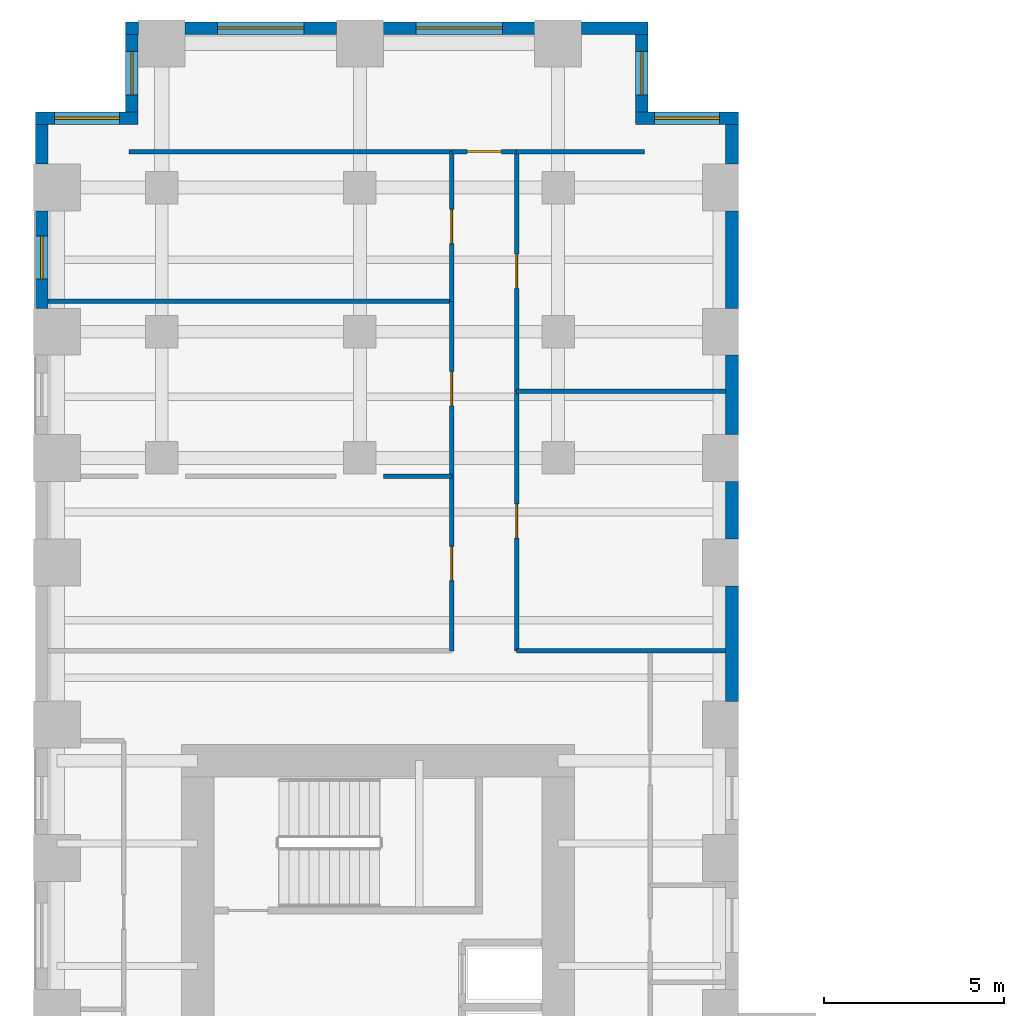
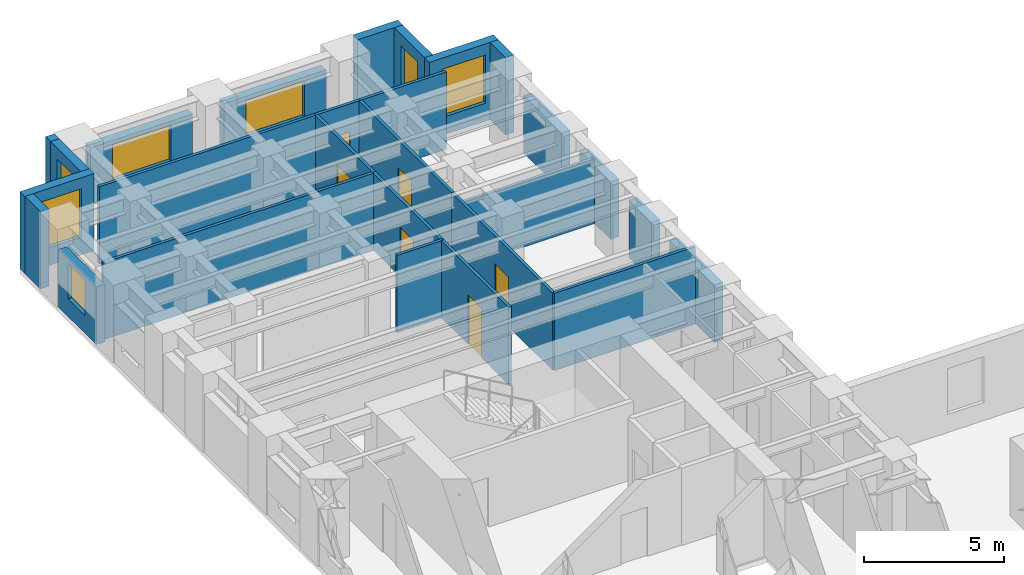
# One storey, part 9 of 13: 27 walls, 7 windows, 6 doors, 13 openings.
"""IFC4 building model written with IfcOpenShell, lengths in metres."""

from ifc_helpers import new_model, si_unit, direction, frame, frame_2d, origin, place, context, subcontext, project, spatial, rectangle, extrude, source, transform, mapped, material, layer, layer_set, type_object, element, fill, save


model = new_model("IFC4")

# Units and contexts
model_context = context("Model", 3, precision=1e-05, world=origin(), true_north=direction((0.0, 1.0)))
body_context = subcontext(model_context, "Body", "Model", "MODEL_VIEW")
ifc_project = project(units=[si_unit("LENGTHUNIT", "METRE"), si_unit("AREAUNIT", "SQUARE_METRE"), si_unit("VOLUMEUNIT", "CUBIC_METRE"), si_unit("PLANEANGLEUNIT", "RADIAN"), si_unit("MASSUNIT", "GRAM", prefix="KILO")], contexts=[model_context])

# Site, building, storey
site_placement = place(None, origin())
site = spatial("IfcSite", under=ifc_project, at=site_placement, CompositionType="ELEMENT")
building_placement = place(site_placement, origin())
building = spatial("IfcBuilding", under=site, at=building_placement, Name="Kharzan Plaza Tower", CompositionType="ELEMENT")
storey_placement = place(building_placement, frame((0.0, 0.0, 47.699951171875)))
storey = spatial("IfcBuildingStorey", under=building, at=storey_placement, Name="L12", CompositionType="ELEMENT", Elevation=47.699951171875)

# Wall, opening, window
ifc_material_1 = material(Name="Concrete C40/50", Category="concrete")
ifc_layer_1 = layer(ifc_material_1, 0.35009765625)
ifc_layer_set_1 = layer_set([ifc_layer_1], Name="Concrete C40/50")
wall_type_1 = type_object("IfcWallType", Name="WL-EXT-MAS-Z1", PredefinedType="SOLIDWALL", material=ifc_layer_set_1)
wall_1_placement = place(storey_placement, frame((19.5, 47.324951171875, 0.0), z_axis=(0.0, 0.0, 1.0), x_axis=(-1.0, 0.0, 0.0)))
wall_1 = element("IfcWall", 1, at=wall_1_placement, inside=storey, type_object=wall_type_1, Name="L12 Masonry-Frame Exterior Wall 01", PredefinedType="SOLIDWALL", context=body_context, shape_type="SweptSolid", body=[
    extrude(rectangle(XDim=2.85009765625, YDim=0.35009765625, at=frame_2d((1.425048828125, 0.0))), origin(), (0.0, 0.0, 1.0), 3.364990234375),
])
opening_1_placement = place(wall_1_placement, frame((0.52490234375, 0.0, 0.780029296875)))
opening_1 = element("IfcOpeningElement", 2, at=opening_1_placement, cuts=wall_1, Name="Opening W1", PredefinedType="OPENING", context=body_context, shape_type="SweptSolid", body=[
    extrude(rectangle(XDim=1.800048828125, YDim=2.10009765625, at=frame_2d((0.89990234375, 1.050048828125))), frame((0.0, 0.18505859375, 0.0), z_axis=(0.0, -1.0, 0.0), x_axis=(1.0, 0.0, 0.0)), (0.0, 0.0, 1.0), 0.3701171875),
])
ifc_material_2 = material(Name="Low-E Double Glazing", Category="glass")
window_type_1 = type_object("IfcWindowType", Name="WN-REC-1800x2100", PartitioningType="SINGLE_PANEL", PredefinedType="WINDOW", material=ifc_material_2)
shared_shape_1 = source(origin(), body_context, "Body", "SweptSolid", [
    extrude(rectangle(XDim=1.800048828125, YDim=2.10009765625, at=frame_2d((0.89990234375, 1.050048828125))), frame((0.0, 0.030029296875, 0.0), z_axis=(0.0, -1.0, 0.0), x_axis=(1.0, 0.0, 0.0)), (0.0, 0.0, 1.0), 0.06005859375),
])
window_1_placement = place(opening_1_placement, origin())
window_1 = element("IfcWindow", 3, at=window_1_placement, inside=storey, type_object=window_type_1, Name="L12 Recessed Solar-Control Window 01-1", OverallHeight=2.10009765625, OverallWidth=1.800048828125, PartitioningType="SINGLE_PANEL", PredefinedType="WINDOW", context=body_context, shape_type="MappedRepresentation", body=[
    mapped(shared_shape_1, transform((0.0, 0.0, 0.0), x_axis=(1.0, 0.0, 0.0), y_axis=(0.0, 1.0, 0.0), z_axis=(0.0, 0.0, 1.0))),
])
fill(opening_1, window_1)

wall_2_placement = place(storey_placement, frame((16.824951171875, 47.498046875, 0.0), z_axis=(0.0, 0.0, 1.0), x_axis=(0.0, 1.0, 0.0)))
wall_2 = element("IfcWall", 4, at=wall_2_placement, inside=storey, type_object=wall_type_1, Name="L12 Masonry-Frame Exterior Wall 02", PredefinedType="SOLIDWALL", context=body_context, shape_type="SweptSolid", body=[
    extrude(rectangle(XDim=2.154052734375, YDim=0.35009765625, at=frame_2d((1.0771484375, 0.0))), origin(), (0.0, 0.0, 1.0), 3.364990234375),
])
opening_2_placement = place(wall_2_placement, frame((0.47705078125, 0.0, 0.780029296875)))
opening_2 = element("IfcOpeningElement", 5, at=opening_2_placement, cuts=wall_2, Name="Opening W3", PredefinedType="OPENING", context=body_context, shape_type="SweptSolid", body=[
    extrude(rectangle(XDim=1.199951171875, YDim=2.10009765625, at=frame_2d((0.60009765625, 1.050048828125))), frame((0.0, 0.18505859375, 0.0), z_axis=(0.0, -1.0, 0.0), x_axis=(1.0, 0.0, 0.0)), (0.0, 0.0, 1.0), 0.3701171875),
])
window_type_2 = type_object("IfcWindowType", Name="WN-REC-1200x2100", PartitioningType="SINGLE_PANEL", PredefinedType="WINDOW", material=ifc_material_2)
shared_shape_2 = source(origin(), body_context, "Body", "SweptSolid", [
    extrude(rectangle(XDim=1.199951171875, YDim=2.10009765625, at=frame_2d((0.60009765625, 1.050048828125))), frame((0.0, 0.030029296875, 0.0), z_axis=(0.0, -1.0, 0.0), x_axis=(1.0, 0.0, 0.0)), (0.0, 0.0, 1.0), 0.06005859375),
])
window_2_placement = place(opening_2_placement, origin())
window_2 = element("IfcWindow", 6, at=window_2_placement, inside=storey, type_object=window_type_2, Name="L12 Recessed Solar-Control Window 02-1", OverallHeight=2.10009765625, OverallWidth=1.199951171875, PartitioningType="SINGLE_PANEL", PredefinedType="WINDOW", context=body_context, shape_type="MappedRepresentation", body=[
    mapped(shared_shape_2, transform((0.0, 0.0, 0.0), x_axis=(1.0, 0.0, 0.0), y_axis=(0.0, 1.0, 0.0), z_axis=(0.0, 0.0, 1.0))),
])
fill(opening_2, window_2)

wall_3_placement = place(storey_placement, frame((13.85205078125, 49.824951171875, 0.0), z_axis=(0.0, 0.0, 1.0), x_axis=(-1.0, 0.0, 0.0)))
wall_3 = element("IfcWall", 7, at=wall_3_placement, inside=storey, type_object=wall_type_1, Name="L12 Masonry-Frame Exterior Wall 04", PredefinedType="SOLIDWALL", context=body_context, shape_type="SweptSolid", body=[
    extrude(rectangle(XDim=4.2041015625, YDim=0.35009765625, at=frame_2d((2.10205078125, 0.0))), origin(), (0.0, 0.0, 1.0), 2.510009765625),
])
opening_3_placement = place(wall_3_placement, frame((0.902099609375, 0.0, 0.780029296875)))
opening_3 = element("IfcOpeningElement", 8, at=opening_3_placement, cuts=wall_3, Name="Opening W2", PredefinedType="OPENING", context=body_context, shape_type="SweptSolid", body=[
    extrude(rectangle(XDim=2.39990234375, YDim=1.550048828125, at=frame_2d((1.199951171875, 0.77490234375))), frame((0.0, 0.18505859375, 0.0), z_axis=(0.0, -1.0, 0.0), x_axis=(1.0, 0.0, 0.0)), (0.0, 0.0, 1.0), 0.3701171875),
])
window_type_3 = type_object("IfcWindowType", Name="WN-REC-2400x2100", PartitioningType="SINGLE_PANEL", PredefinedType="WINDOW", material=ifc_material_2)
shared_shape_3 = source(origin(), body_context, "Body", "SweptSolid", [
    extrude(rectangle(XDim=2.39990234375, YDim=1.550048828125, at=frame_2d((1.199951171875, 0.77490234375))), frame((0.0, 0.030029296875, 0.0), z_axis=(0.0, -1.0, 0.0), x_axis=(1.0, 0.0, 0.0)), (0.0, 0.0, 1.0), 0.06005859375),
])
window_3_placement = place(opening_3_placement, origin())
window_3 = element("IfcWindow", 9, at=window_3_placement, inside=storey, type_object=window_type_3, Name="L12 Wide Recessed Solar-Control Window 04-1", OverallHeight=1.550048828125, OverallWidth=2.39990234375, PartitioningType="SINGLE_PANEL", PredefinedType="WINDOW", context=body_context, shape_type="MappedRepresentation", body=[
    mapped(shared_shape_3, transform((0.0, 0.0, 0.0), x_axis=(1.0, 0.0, 0.0), y_axis=(0.0, 1.0, 0.0), z_axis=(0.0, 0.0, 1.0))),
])
fill(opening_3, window_3)

wall_4_placement = place(storey_placement, frame((8.35205078125, 49.824951171875, 0.0), z_axis=(0.0, 0.0, 1.0), x_axis=(-1.0, 0.0, 0.0)))
wall_4 = element("IfcWall", 10, at=wall_4_placement, inside=storey, type_object=wall_type_1, Name="L12 Masonry-Frame Exterior Wall 05", PredefinedType="SOLIDWALL", context=body_context, shape_type="SweptSolid", body=[
    extrude(rectangle(XDim=4.2041015625, YDim=0.35009765625, at=frame_2d((2.10205078125, 0.0))), origin(), (0.0, 0.0, 1.0), 2.510009765625),
])
opening_4_placement = place(wall_4_placement, frame((0.902099609375, 0.0, 0.780029296875)))
opening_4 = element("IfcOpeningElement", 11, at=opening_4_placement, cuts=wall_4, Name="Opening W2", PredefinedType="OPENING", context=body_context, shape_type="SweptSolid", body=[
    extrude(rectangle(XDim=2.39990234375, YDim=1.550048828125, at=frame_2d((1.199951171875, 0.77490234375))), frame((0.0, 0.18505859375, 0.0), z_axis=(0.0, -1.0, 0.0), x_axis=(1.0, 0.0, 0.0)), (0.0, 0.0, 1.0), 0.3701171875),
])
window_4_placement = place(opening_4_placement, origin())
window_4 = element("IfcWindow", 12, at=window_4_placement, inside=storey, type_object=window_type_3, Name="L12 Wide Recessed Solar-Control Window 05-1", OverallHeight=1.550048828125, OverallWidth=2.39990234375, PartitioningType="SINGLE_PANEL", PredefinedType="WINDOW", context=body_context, shape_type="MappedRepresentation", body=[
    mapped(shared_shape_3, transform((0.0, 0.0, 0.0), x_axis=(1.0, 0.0, 0.0), y_axis=(0.0, 1.0, 0.0), z_axis=(0.0, 0.0, 1.0))),
])
fill(opening_4, window_4)

wall_5_placement = place(storey_placement, frame((2.675048828125, 49.652099609375, 0.0), z_axis=(0.0, 0.0, 1.0), x_axis=(0.0, -1.0, 0.0)))
wall_5 = element("IfcWall", 13, at=wall_5_placement, inside=storey, type_object=wall_type_1, Name="L12 Masonry-Frame Exterior Wall 07", PredefinedType="SOLIDWALL", context=body_context, shape_type="SweptSolid", body=[
    extrude(rectangle(XDim=2.154052734375, YDim=0.35009765625, at=frame_2d((1.0771484375, 0.0))), origin(), (0.0, 0.0, 1.0), 3.364990234375),
])
opening_5_placement = place(wall_5_placement, frame((0.47705078125, 0.0, 0.780029296875)))
opening_5 = element("IfcOpeningElement", 14, at=opening_5_placement, cuts=wall_5, Name="Opening W3", PredefinedType="OPENING", context=body_context, shape_type="SweptSolid", body=[
    extrude(rectangle(XDim=1.199951171875, YDim=2.10009765625, at=frame_2d((0.60009765625, 1.050048828125))), frame((0.0, 0.18505859375, 0.0), z_axis=(0.0, -1.0, 0.0), x_axis=(1.0, 0.0, 0.0)), (0.0, 0.0, 1.0), 0.3701171875),
])
window_5_placement = place(opening_5_placement, origin())
window_5 = element("IfcWindow", 15, at=window_5_placement, inside=storey, type_object=window_type_2, Name="L12 Recessed Solar-Control Window 07-1", OverallHeight=2.10009765625, OverallWidth=1.199951171875, PartitioningType="SINGLE_PANEL", PredefinedType="WINDOW", context=body_context, shape_type="MappedRepresentation", body=[
    mapped(shared_shape_2, transform((0.0, 0.0, 0.0), x_axis=(1.0, 0.0, 0.0), y_axis=(0.0, 1.0, 0.0), z_axis=(0.0, 0.0, 1.0))),
])
fill(opening_5, window_5)

wall_6_placement = place(storey_placement, frame((2.85009765625, 47.324951171875, 0.0), z_axis=(0.0, 0.0, 1.0), x_axis=(-1.0, 0.0, 0.0)))
wall_6 = element("IfcWall", 16, at=wall_6_placement, inside=storey, type_object=wall_type_1, Name="L12 Masonry-Frame Exterior Wall 08", PredefinedType="SOLIDWALL", context=body_context, shape_type="SweptSolid", body=[
    extrude(rectangle(XDim=2.85009765625, YDim=0.35009765625, at=frame_2d((1.425048828125, 0.0))), origin(), (0.0, 0.0, 1.0), 3.364990234375),
])
opening_6_placement = place(wall_6_placement, frame((0.52490234375, 0.0, 0.780029296875)))
opening_6 = element("IfcOpeningElement", 17, at=opening_6_placement, cuts=wall_6, Name="Opening W1", PredefinedType="OPENING", context=body_context, shape_type="SweptSolid", body=[
    extrude(rectangle(XDim=1.800048828125, YDim=2.10009765625, at=frame_2d((0.89990234375, 1.050048828125))), frame((0.0, 0.18505859375, 0.0), z_axis=(0.0, -1.0, 0.0), x_axis=(1.0, 0.0, 0.0)), (0.0, 0.0, 1.0), 0.3701171875),
])
window_6_placement = place(opening_6_placement, origin())
window_6 = element("IfcWindow", 18, at=window_6_placement, inside=storey, type_object=window_type_1, Name="L12 Recessed Solar-Control Window 08-1", OverallHeight=2.10009765625, OverallWidth=1.800048828125, PartitioningType="SINGLE_PANEL", PredefinedType="WINDOW", context=body_context, shape_type="MappedRepresentation", body=[
    mapped(shared_shape_1, transform((0.0, 0.0, 0.0), x_axis=(1.0, 0.0, 0.0), y_axis=(0.0, 1.0, 0.0), z_axis=(0.0, 0.0, 1.0))),
])
fill(opening_6, window_6)

wall_7_placement = place(storey_placement, frame((0.175048828125, 44.751953125, 0.0), z_axis=(0.0, 0.0, 1.0), x_axis=(0.0, -1.0, 0.0)))
wall_7 = element("IfcWall", 19, at=wall_7_placement, inside=storey, type_object=wall_type_1, Name="L12 Masonry-Frame Exterior Wall 10", PredefinedType="SOLIDWALL", context=body_context, shape_type="SweptSolid", body=[
    extrude(rectangle(XDim=2.703857421875, YDim=0.35009765625, at=frame_2d((1.35205078125, 0.0))), origin(), (0.0, 0.0, 1.0), 2.510009765625),
])
opening_7_placement = place(wall_7_placement, frame((0.6884765625, 0.0, 0.780029296875)))
opening_7 = element("IfcOpeningElement", 20, at=opening_7_placement, cuts=wall_7, Name="Opening W3", PredefinedType="OPENING", context=body_context, shape_type="SweptSolid", body=[
    extrude(rectangle(XDim=1.199951171875, YDim=1.550048828125, at=frame_2d((0.60009765625, 0.77490234375))), frame((0.0, 0.18505859375, 0.0), z_axis=(0.0, -1.0, 0.0), x_axis=(1.0, 0.0, 0.0)), (0.0, 0.0, 1.0), 0.3701171875),
])
shared_shape_4 = source(origin(), body_context, "Body", "SweptSolid", [
    extrude(rectangle(XDim=1.199951171875, YDim=1.550048828125, at=frame_2d((0.60009765625, 0.77490234375))), frame((0.0, 0.030029296875, 0.0), z_axis=(0.0, -1.0, 0.0), x_axis=(1.0, 0.0, 0.0)), (0.0, 0.0, 1.0), 0.06005859375),
])
window_7_placement = place(opening_7_placement, origin())
window_7 = element("IfcWindow", 21, at=window_7_placement, inside=storey, type_object=window_type_2, Name="L12 Recessed Solar-Control Window 10-1", OverallHeight=1.550048828125, OverallWidth=1.199951171875, PartitioningType="SINGLE_PANEL", PredefinedType="WINDOW", context=body_context, shape_type="MappedRepresentation", body=[
    mapped(shared_shape_4, transform((0.0, 0.0, 0.0), x_axis=(1.0, 0.0, 0.0), y_axis=(0.0, 1.0, 0.0), z_axis=(0.0, 0.0, 1.0))),
])
fill(opening_7, window_7)

# Wall, opening, door
ifc_material_3 = material(Name="Fire-Rated Gypsum Board Partition", Category="gypsum")
ifc_layer_2 = layer(ifc_material_3, 0.125)
ifc_layer_set_2 = layer_set([ifc_layer_2], Name="Fire-Rated Gypsum Board Partition")
wall_type_2 = type_object("IfcWallType", Name="WL-INT-PART-125", PredefinedType="PARTITIONING", material=ifc_layer_set_2)
wall_8_placement = place(storey_placement, frame((13.35009765625, 32.550048828125, 0.0), z_axis=(0.0, 0.0, 1.0), x_axis=(0.0, 1.0, 0.0)))
wall_8 = element("IfcWall", 22, at=wall_8_placement, inside=storey, type_object=wall_type_2, Name="L12 Interior Partition SH-SPE-1", PredefinedType="PARTITIONING", context=body_context, shape_type="SweptSolid", body=[
    extrude(rectangle(XDim=7.201904296875, YDim=0.125, at=frame_2d((3.60107421875, 0.0))), origin(), (0.0, 0.0, 1.0), 3.364990234375),
])
opening_8_placement = place(wall_8_placement, frame((3.1259765625, 0.0, 0.0)))
opening_8 = element("IfcOpeningElement", 23, at=opening_8_placement, cuts=wall_8, Name="Opening OD1", PredefinedType="OPENING", context=body_context, shape_type="SweptSolid", body=[
    extrude(rectangle(XDim=0.949951171875, YDim=2.14990234375, at=frame_2d((0.47509765625, 1.074951171875))), frame((0.0, 0.072509765625, 0.0), z_axis=(0.0, -1.0, 0.0), x_axis=(1.0, 0.0, 0.0)), (0.0, 0.0, 1.0), 0.14501953125),
])
ifc_material_4 = material(Name="Acoustic Solid-Core Stained Oak", Category="timber")
door_type = type_object("IfcDoorType", Name="DR-OFF-SINGLE", OperationType="NOTDEFINED", PredefinedType="DOOR", material=ifc_material_4)
shared_shape_5 = source(origin(), body_context, "Body", "SweptSolid", [
    extrude(rectangle(XDim=0.949951171875, YDim=2.14990234375, at=frame_2d((0.47509765625, 1.074951171875))), frame((0.0, 0.02490234375, 0.0), z_axis=(0.0, -1.0, 0.0), x_axis=(1.0, 0.0, 0.0)), (0.0, 0.0, 1.0), 0.050048828125),
])
door_1_placement = place(opening_8_placement, origin())
door_1 = element("IfcDoor", 24, at=door_1_placement, inside=storey, type_object=door_type, Name="L12 Architectural Design Studio Door", OperationType="SINGLE_SWING_LEFT", OverallHeight=2.14990234375, OverallWidth=0.949951171875, PredefinedType="DOOR", context=body_context, shape_type="MappedRepresentation", body=[
    mapped(shared_shape_5, transform((0.0, 0.0, 0.0), x_axis=(1.0, 0.0, 0.0), y_axis=(0.0, 1.0, 0.0), z_axis=(0.0, 0.0, 1.0))),
])
fill(opening_8, door_1)

wall_9_placement = place(storey_placement, frame((13.35009765625, 39.751953125, 0.0), z_axis=(0.0, 0.0, 1.0), x_axis=(0.0, 1.0, 0.0)))
wall_9 = element("IfcWall", 25, at=wall_9_placement, inside=storey, type_object=wall_type_2, Name="L12 Interior Partition SH-SPE-2", PredefinedType="PARTITIONING", context=body_context, shape_type="SweptSolid", body=[
    extrude(rectangle(XDim=6.64794921875, YDim=0.125, at=frame_2d((3.323974609375, 0.0))), origin(), (0.0, 0.0, 1.0), 3.364990234375),
])
opening_9_placement = place(wall_9_placement, frame((2.84912109375, 0.0, 0.0)))
opening_9 = element("IfcOpeningElement", 26, at=opening_9_placement, cuts=wall_9, Name="Opening OD1", PredefinedType="OPENING", context=body_context, shape_type="SweptSolid", body=[
    extrude(rectangle(XDim=0.949951171875, YDim=2.14990234375, at=frame_2d((0.47509765625, 1.074951171875))), frame((0.0, 0.072509765625, 0.0), z_axis=(0.0, -1.0, 0.0), x_axis=(1.0, 0.0, 0.0)), (0.0, 0.0, 1.0), 0.14501953125),
])
door_2_placement = place(opening_9_placement, origin())
door_2 = element("IfcDoor", 27, at=door_2_placement, inside=storey, type_object=door_type, Name="L12 Architectural Design Studio Door", OperationType="SINGLE_SWING_RIGHT", OverallHeight=2.14990234375, OverallWidth=0.949951171875, PredefinedType="DOOR", context=body_context, shape_type="MappedRepresentation", body=[
    mapped(shared_shape_5, transform((0.0, 0.0, 0.0), x_axis=(1.0, 0.0, 0.0), y_axis=(0.0, 1.0, 0.0), z_axis=(0.0, 0.0, 1.0))),
])
fill(opening_9, door_2)

wall_10_placement = place(storey_placement, frame((11.550048828125, 46.39990234375, 0.0), z_axis=(0.0, 0.0, 1.0), x_axis=(1.0, 0.0, 0.0)))
wall_10 = element("IfcWall", 28, at=wall_10_placement, inside=storey, type_object=wall_type_2, Name="L12 Interior Partition SH-SPHD", PredefinedType="PARTITIONING", context=body_context, shape_type="SweptSolid", body=[
    extrude(rectangle(XDim=1.800048828125, YDim=0.125, at=frame_2d((0.89990234375, 0.0))), origin(), (0.0, 0.0, 1.0), 3.364990234375),
])
opening_10_placement = place(wall_10_placement, frame((0.425048828125, 0.0, 0.0)))
opening_10 = element("IfcOpeningElement", 29, at=opening_10_placement, cuts=wall_10, Name="Opening OD1", PredefinedType="OPENING", context=body_context, shape_type="SweptSolid", body=[
    extrude(rectangle(XDim=0.949951171875, YDim=2.14990234375, at=frame_2d((0.47509765625, 1.074951171875))), frame((0.0, 0.072509765625, 0.0), z_axis=(0.0, -1.0, 0.0), x_axis=(1.0, 0.0, 0.0)), (0.0, 0.0, 1.0), 0.14501953125),
])
door_3_placement = place(opening_10_placement, origin())
door_3 = element("IfcDoor", 30, at=door_3_placement, inside=storey, type_object=door_type, Name="L12 North Boardroom Door", OperationType="SINGLE_SWING_LEFT", OverallHeight=2.14990234375, OverallWidth=0.949951171875, PredefinedType="DOOR", context=body_context, shape_type="MappedRepresentation", body=[
    mapped(shared_shape_5, transform((0.0, 0.0, 0.0), x_axis=(1.0, 0.0, 0.0), y_axis=(0.0, 1.0, 0.0), z_axis=(0.0, 0.0, 1.0))),
])
fill(opening_10, door_3)

wall_11_placement = place(storey_placement, frame((11.550048828125, 32.550048828125, 0.0), z_axis=(0.0, 0.0, 1.0), x_axis=(0.0, 1.0, 0.0)))
wall_11 = element("IfcWall", 31, at=wall_11_placement, inside=storey, type_object=wall_type_2, Name="L12 Interior Partition SH-SPW-1", PredefinedType="PARTITIONING", context=body_context, shape_type="SweptSolid", body=[
    extrude(rectangle(XDim=4.846923828125, YDim=0.125, at=frame_2d((2.42333984375, 0.0))), origin(), (0.0, 0.0, 1.0), 3.364990234375),
])
opening_11_placement = place(wall_11_placement, frame((1.948486328125, 0.0, 0.0)))
opening_11 = element("IfcOpeningElement", 32, at=opening_11_placement, cuts=wall_11, Name="Opening OD1", PredefinedType="OPENING", context=body_context, shape_type="SweptSolid", body=[
    extrude(rectangle(XDim=0.949951171875, YDim=2.14990234375, at=frame_2d((0.47509765625, 1.074951171875))), frame((0.0, 0.072509765625, 0.0), z_axis=(0.0, -1.0, 0.0), x_axis=(1.0, 0.0, 0.0)), (0.0, 0.0, 1.0), 0.14501953125),
])
door_4_placement = place(opening_11_placement, origin())
door_4 = element("IfcDoor", 33, at=door_4_placement, inside=storey, type_object=door_type, Name="L12 Staff Tea Pantry Door", OperationType="SINGLE_SWING_RIGHT", OverallHeight=2.14990234375, OverallWidth=0.949951171875, PredefinedType="DOOR", context=body_context, shape_type="MappedRepresentation", body=[
    mapped(shared_shape_5, transform((0.0, 0.0, 0.0), x_axis=(1.0, 0.0, 0.0), y_axis=(0.0, 1.0, 0.0), z_axis=(0.0, 0.0, 1.0))),
])
fill(opening_11, door_4)

wall_12_placement = place(storey_placement, frame((11.550048828125, 37.39697265625, 0.0), z_axis=(0.0, 0.0, 1.0), x_axis=(0.0, 1.0, 0.0)))
wall_12 = element("IfcWall", 34, at=wall_12_placement, inside=storey, type_object=wall_type_2, Name="L12 Interior Partition SH-SPW-2", PredefinedType="PARTITIONING", context=body_context, shape_type="SweptSolid", body=[
    extrude(rectangle(XDim=4.84814453125, YDim=0.125, at=frame_2d((2.424072265625, 0.0))), origin(), (0.0, 0.0, 1.0), 3.364990234375),
])
opening_12_placement = place(wall_12_placement, frame((1.948974609375, 0.0, 0.0)))
opening_12 = element("IfcOpeningElement", 35, at=opening_12_placement, cuts=wall_12, Name="Opening OD1", PredefinedType="OPENING", context=body_context, shape_type="SweptSolid", body=[
    extrude(rectangle(XDim=0.949951171875, YDim=2.14990234375, at=frame_2d((0.47509765625, 1.074951171875))), frame((0.0, 0.072509765625, 0.0), z_axis=(0.0, -1.0, 0.0), x_axis=(1.0, 0.0, 0.0)), (0.0, 0.0, 1.0), 0.14501953125),
])
door_5_placement = place(opening_12_placement, origin())
door_5 = element("IfcDoor", 36, at=door_5_placement, inside=storey, type_object=door_type, Name="L12 Staff Tea Pantry Door", OperationType="SINGLE_SWING_LEFT", OverallHeight=2.14990234375, OverallWidth=0.949951171875, PredefinedType="DOOR", context=body_context, shape_type="MappedRepresentation", body=[
    mapped(shared_shape_5, transform((0.0, 0.0, 0.0), x_axis=(1.0, 0.0, 0.0), y_axis=(0.0, 1.0, 0.0), z_axis=(0.0, 0.0, 1.0))),
])
fill(opening_12, door_5)

wall_13_placement = place(storey_placement, frame((11.550048828125, 42.2451171875, 0.0), z_axis=(0.0, 0.0, 1.0), x_axis=(0.0, 1.0, 0.0)))
wall_13 = element("IfcWall", 37, at=wall_13_placement, inside=storey, type_object=wall_type_2, Name="L12 Interior Partition SH-SPW-3", PredefinedType="PARTITIONING", context=body_context, shape_type="SweptSolid", body=[
    extrude(rectangle(XDim=4.15478515625, YDim=0.125, at=frame_2d((2.077392578125, 0.0))), origin(), (0.0, 0.0, 1.0), 3.364990234375),
])
opening_13_placement = place(wall_13_placement, frame((1.6025390625, 0.0, 0.0)))
opening_13 = element("IfcOpeningElement", 38, at=opening_13_placement, cuts=wall_13, Name="Opening OD1", PredefinedType="OPENING", context=body_context, shape_type="SweptSolid", body=[
    extrude(rectangle(XDim=0.949951171875, YDim=2.14990234375, at=frame_2d((0.47509765625, 1.074951171875))), frame((0.0, 0.072509765625, 0.0), z_axis=(0.0, -1.0, 0.0), x_axis=(1.0, 0.0, 0.0)), (0.0, 0.0, 1.0), 0.14501953125),
])
door_6_placement = place(opening_13_placement, origin())
door_6 = element("IfcDoor", 39, at=door_6_placement, inside=storey, type_object=door_type, Name="L12 Standards Compliance Office Door", OperationType="SINGLE_SWING_RIGHT", OverallHeight=2.14990234375, OverallWidth=0.949951171875, PredefinedType="DOOR", context=body_context, shape_type="MappedRepresentation", body=[
    mapped(shared_shape_5, transform((0.0, 0.0, 0.0), x_axis=(1.0, 0.0, 0.0), y_axis=(0.0, 1.0, 0.0), z_axis=(0.0, 0.0, 1.0))),
])
fill(opening_13, door_6)

# Walls
shared_shape_6 = source(origin(), body_context, "Body", "SweptSolid", [
    extrude(rectangle(XDim=1.85205078125, YDim=0.35009765625, at=frame_2d((0.926025390625, 0.0))), origin(), (0.0, 0.0, 1.0), 3.364990234375),
])
wall_14_placement = place(storey_placement, frame((17.0, 49.824951171875, 0.0), z_axis=(0.0, 0.0, 1.0), x_axis=(-1.0, 0.0, 0.0)))
element("IfcWall", 40, at=wall_14_placement, inside=storey, type_object=wall_type_1, Name="L12 Masonry-Frame Exterior Wall 03", PredefinedType="SOLIDWALL", context=body_context, shape_type="MappedRepresentation", body=[
    mapped(shared_shape_6, transform((0.0, 0.0, 0.0), x_axis=(1.0, 0.0, 0.0), y_axis=(0.0, 1.0, 0.0), z_axis=(0.0, 0.0, 1.0))),
])
shared_shape_7 = source(origin(), body_context, "Body", "SweptSolid", [
    extrude(rectangle(XDim=0.35205078125, YDim=0.35009765625, at=frame_2d((0.176025390625, 0.0))), origin(), (0.0, 0.0, 1.0), 3.364990234375),
])
wall_15_placement = place(storey_placement, frame((2.85205078125, 49.824951171875, 0.0), z_axis=(0.0, 0.0, 1.0), x_axis=(-1.0, 0.0, 0.0)))
element("IfcWall", 41, at=wall_15_placement, inside=storey, type_object=wall_type_1, Name="L12 Masonry-Frame Exterior Wall 06", PredefinedType="SOLIDWALL", context=body_context, shape_type="MappedRepresentation", body=[
    mapped(shared_shape_7, transform((0.0, 0.0, 0.0), x_axis=(1.0, 0.0, 0.0), y_axis=(0.0, 1.0, 0.0), z_axis=(0.0, 0.0, 1.0))),
])
shared_shape_8 = source(origin(), body_context, "Body", "SweptSolid", [
    extrude(rectangle(XDim=1.10400390625, YDim=0.35009765625, at=frame_2d((0.552001953125, 0.0))), origin(), (0.0, 0.0, 1.0), 3.364990234375),
])
for number, where, z_axis, x_axis, name in (
    (42, (0.175048828125, 47.152099609375, 0.0), (0.0, 0.0, 1.0), (0.0, -1.0, 0.0), "L12 Masonry-Frame Exterior Wall 09"),
    (43, (19.324951171875, 46.048095703125, 0.0), (0.0, 0.0, 1.0), (0.0, 1.0, 0.0), "L12 Masonry-Frame Exterior Wall 60"),
):
    element("IfcWall", number, at=place(storey_placement, frame(where, z_axis=z_axis, x_axis=x_axis)), inside=storey, type_object=wall_type_1, Name=name, PredefinedType="SOLIDWALL", context=body_context, shape_type="MappedRepresentation", body=[
        mapped(shared_shape_8, transform((0.0, 0.0, 0.0), x_axis=(1.0, 0.0, 0.0), y_axis=(0.0, 1.0, 0.0), z_axis=(0.0, 0.0, 1.0))),
    ])
shared_shape_9 = source(origin(), body_context, "Body", "SweptSolid", [
    extrude(rectangle(XDim=1.60400390625, YDim=0.35009765625, at=frame_2d((0.802001953125, 0.0))), origin(), (0.0, 0.0, 1.0), 2.510009765625),
])
wall_16_placement = place(storey_placement, frame((19.324951171875, 35.64794921875, 0.0), z_axis=(0.0, 0.0, 1.0), x_axis=(0.0, 1.0, 0.0)))
element("IfcWall", 44, at=wall_16_placement, inside=storey, type_object=wall_type_1, Name="L12 Masonry-Frame Exterior Wall 57", PredefinedType="SOLIDWALL", context=body_context, shape_type="MappedRepresentation", body=[
    mapped(shared_shape_9, transform((0.0, 0.0, 0.0), x_axis=(1.0, 0.0, 0.0), y_axis=(0.0, 1.0, 0.0), z_axis=(0.0, 0.0, 1.0))),
])
shared_shape_10 = source(origin(), body_context, "Body", "SweptSolid", [
    extrude(rectangle(XDim=3.2041015625, YDim=0.35009765625, at=frame_2d((1.60205078125, 0.0))), origin(), (0.0, 0.0, 1.0), 2.510009765625),
])
wall_17_placement = place(storey_placement, frame((19.324951171875, 31.14794921875, 0.0), z_axis=(0.0, 0.0, 1.0), x_axis=(0.0, 1.0, 0.0)))
element("IfcWall", 45, at=wall_17_placement, inside=storey, type_object=wall_type_1, Name="L12 Masonry-Frame Exterior Wall 56", PredefinedType="SOLIDWALL", context=body_context, shape_type="MappedRepresentation", body=[
    mapped(shared_shape_10, transform((0.0, 0.0, 0.0), x_axis=(1.0, 0.0, 0.0), y_axis=(0.0, 1.0, 0.0), z_axis=(0.0, 0.0, 1.0))),
])
shared_shape_11 = source(origin(), body_context, "Body", "SweptSolid", [
    extrude(rectangle(XDim=2.203857421875, YDim=0.35009765625, at=frame_2d((1.10205078125, 0.0))), origin(), (0.0, 0.0, 1.0), 2.510009765625),
])
wall_18_placement = place(storey_placement, frame((19.324951171875, 38.548095703125, 0.0), z_axis=(0.0, 0.0, 1.0), x_axis=(0.0, 1.0, 0.0)))
element("IfcWall", 46, at=wall_18_placement, inside=storey, type_object=wall_type_1, Name="L12 Masonry-Frame Exterior Wall 58", PredefinedType="SOLIDWALL", context=body_context, shape_type="MappedRepresentation", body=[
    mapped(shared_shape_11, transform((0.0, 0.0, 0.0), x_axis=(1.0, 0.0, 0.0), y_axis=(0.0, 1.0, 0.0), z_axis=(0.0, 0.0, 1.0))),
])
shared_shape_12 = source(origin(), body_context, "Body", "SweptSolid", [
    extrude(rectangle(XDim=2.703857421875, YDim=0.35009765625, at=frame_2d((1.35205078125, 0.0))), origin(), (0.0, 0.0, 1.0), 2.510009765625),
])
wall_19_placement = place(storey_placement, frame((19.324951171875, 42.048095703125, 0.0), z_axis=(0.0, 0.0, 1.0), x_axis=(0.0, 1.0, 0.0)))
element("IfcWall", 47, at=wall_19_placement, inside=storey, type_object=wall_type_1, Name="L12 Masonry-Frame Exterior Wall 59", PredefinedType="SOLIDWALL", context=body_context, shape_type="MappedRepresentation", body=[
    mapped(shared_shape_12, transform((0.0, 0.0, 0.0), x_axis=(1.0, 0.0, 0.0), y_axis=(0.0, 1.0, 0.0), z_axis=(0.0, 0.0, 1.0))),
])
shared_shape_13 = source(origin(), body_context, "Body", "SweptSolid", [
    extrude(rectangle(XDim=5.7978515625, YDim=0.125, at=frame_2d((2.89892578125, 0.0))), origin(), (0.0, 0.0, 1.0), 3.364990234375),
])
wall_20_placement = place(storey_placement, frame((13.35009765625, 32.550048828125, 0.0), z_axis=(0.0, 0.0, 1.0), x_axis=(1.0, 0.0, 0.0)))
element("IfcWall", 48, at=wall_20_placement, inside=storey, type_object=wall_type_2, Name="L12 Interior Partition SH-NNE", PredefinedType="PARTITIONING", context=body_context, shape_type="MappedRepresentation", body=[
    mapped(shared_shape_13, transform((0.0, 0.0, 0.0), x_axis=(1.0, 0.0, 0.0), y_axis=(0.0, 1.0, 0.0), z_axis=(0.0, 0.0, 1.0))),
])
shared_shape_14 = source(origin(), body_context, "Body", "SweptSolid", [
    extrude(rectangle(XDim=11.197998046875, YDim=0.125, at=frame_2d((5.59912109375, 0.0))), origin(), (0.0, 0.0, 1.0), 3.364990234375),
])
wall_21_placement = place(storey_placement, frame((0.35205078125, 42.2451171875, 0.0), z_axis=(0.0, 0.0, 1.0), x_axis=(1.0, 0.0, 0.0)))
element("IfcWall", 49, at=wall_21_placement, inside=storey, type_object=wall_type_2, Name="L12 Interior Partition SH-NWH-2", PredefinedType="PARTITIONING", context=body_context, shape_type="MappedRepresentation", body=[
    mapped(shared_shape_14, transform((0.0, 0.0, 0.0), x_axis=(1.0, 0.0, 0.0), y_axis=(0.0, 1.0, 0.0), z_axis=(0.0, 0.0, 1.0))),
])
shared_shape_15 = source(origin(), body_context, "Body", "SweptSolid", [
    extrude(rectangle(XDim=1.89013671875, YDim=0.125, at=frame_2d((0.945068359375, 0.0))), origin(), (0.0, 0.0, 1.0), 3.364990234375),
])
wall_22_placement = place(storey_placement, frame((9.659912109375, 37.39697265625, 0.0), z_axis=(0.0, 0.0, 1.0), x_axis=(1.0, 0.0, 0.0)))
element("IfcWall", 50, at=wall_22_placement, inside=storey, type_object=wall_type_2, Name="L12 Interior Partition SH-NWH-1-S3", PredefinedType="PARTITIONING", context=body_context, shape_type="MappedRepresentation", body=[
    mapped(shared_shape_15, transform((0.0, 0.0, 0.0), x_axis=(1.0, 0.0, 0.0), y_axis=(0.0, 1.0, 0.0), z_axis=(0.0, 0.0, 1.0))),
])
shared_shape_16 = source(origin(), body_context, "Body", "SweptSolid", [
    extrude(rectangle(XDim=3.5498046875, YDim=0.125, at=frame_2d((1.77490234375, 0.0))), origin(), (0.0, 0.0, 1.0), 3.364990234375),
])
wall_23_placement = place(storey_placement, frame((13.35009765625, 46.39990234375, 0.0), z_axis=(0.0, 0.0, 1.0), x_axis=(1.0, 0.0, 0.0)))
element("IfcWall", 51, at=wall_23_placement, inside=storey, type_object=wall_type_2, Name="L12 Interior Partition SH-SPHE", PredefinedType="PARTITIONING", context=body_context, shape_type="MappedRepresentation", body=[
    mapped(shared_shape_16, transform((0.0, 0.0, 0.0), x_axis=(1.0, 0.0, 0.0), y_axis=(0.0, 1.0, 0.0), z_axis=(0.0, 0.0, 1.0))),
])
shared_shape_17 = source(origin(), body_context, "Body", "SweptSolid", [
    extrude(rectangle(XDim=8.949951171875, YDim=0.125, at=frame_2d((4.47509765625, 0.0))), origin(), (0.0, 0.0, 1.0), 3.364990234375),
])
wall_24_placement = place(storey_placement, frame((2.60009765625, 46.39990234375, 0.0), z_axis=(0.0, 0.0, 1.0), x_axis=(1.0, 0.0, 0.0)))
element("IfcWall", 52, at=wall_24_placement, inside=storey, type_object=wall_type_2, Name="L12 Interior Partition SH-SPHW", PredefinedType="PARTITIONING", context=body_context, shape_type="MappedRepresentation", body=[
    mapped(shared_shape_17, transform((0.0, 0.0, 0.0), x_axis=(1.0, 0.0, 0.0), y_axis=(0.0, 1.0, 0.0), z_axis=(0.0, 0.0, 1.0))),
])
shared_shape_18 = source(origin(), body_context, "Body", "SweptSolid", [
    extrude(rectangle(XDim=5.7978515625, YDim=0.125, at=frame_2d((2.89892578125, 0.0))), origin(), (0.0, 0.0, 1.0), 2.828125),
])
wall_25_placement = place(storey_placement, frame((13.35009765625, 39.751953125, 0.0), z_axis=(0.0, 0.0, 1.0), x_axis=(1.0, 0.0, 0.0)))
element("IfcWall", 53, at=wall_25_placement, inside=storey, type_object=wall_type_2, Name="L12 Interior Partition SH-NEH-1", PredefinedType="PARTITIONING", context=body_context, shape_type="MappedRepresentation", body=[
    mapped(shared_shape_18, transform((0.0, 0.0, 0.0), x_axis=(1.0, 0.0, 0.0), y_axis=(0.0, 1.0, 0.0), z_axis=(0.0, 0.0, 1.0))),
])

save(model, "model.ifc")
